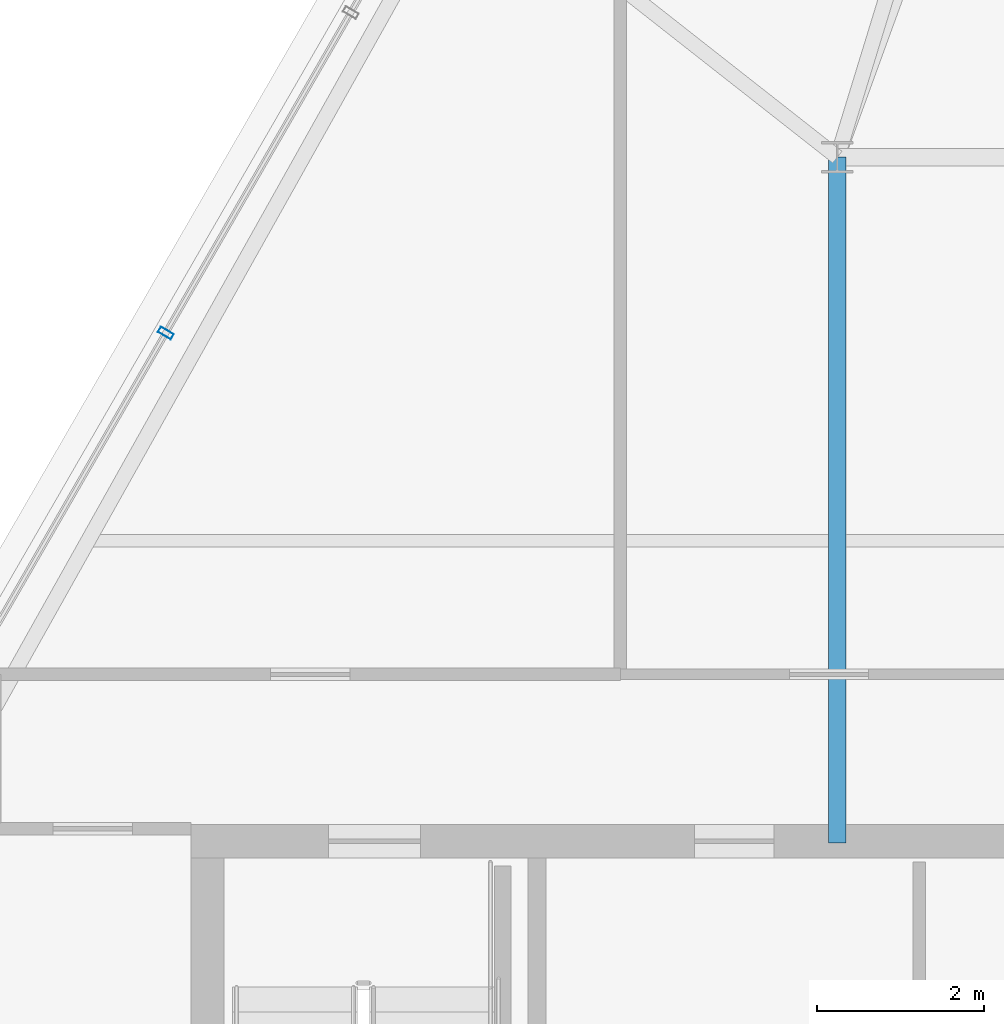
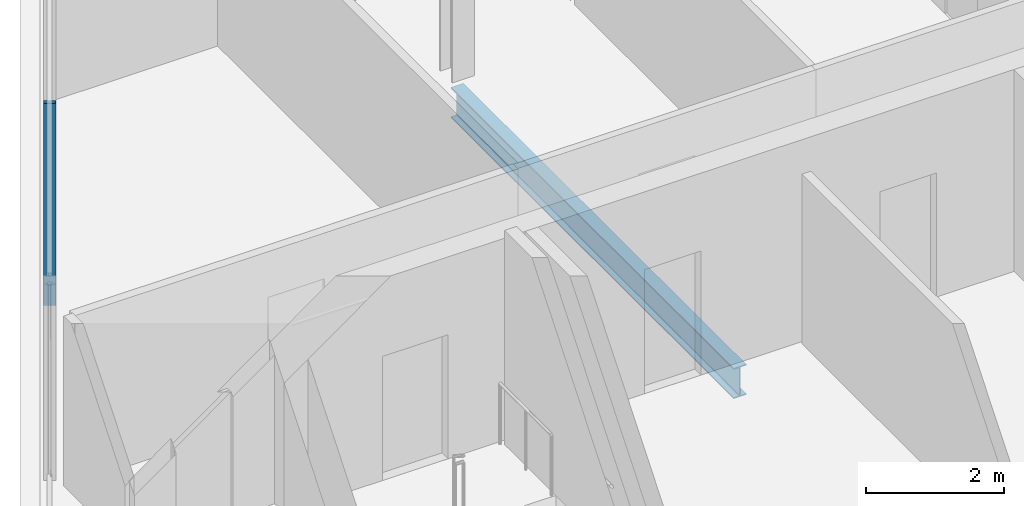
# One storey, part 8 of 35: 1 beam, 1 member, 1 element without a shape of its own.
"""IFC4 building model written with IfcOpenShell, lengths in metres."""

import ifcopenshell
import ifcopenshell.guid

model = None  # the IFC model being written
_history = None  # IfcOwnerHistory: only IFC2X3 demands one
_inside = {}  # id of a spatial element -> (the spatial element, [elements in it])
_under = {}  # id of a project, library or spatial element -> (it, [spatial elements below it])
_declared = {}  # id of a project -> (the project, [libraries it declares])
_typed = {}  # id of a type object -> (the type object, [elements of that type])
_made_of = {}  # id of a material, layer set ... -> (it, [elements and type objects made of it])


def new_model(schema):
    """Start an empty IFC model of exactly this schema.

    Asked for "IFC4X3", IfcOpenShell would pick the latest addendum, in which some entities
    have other attributes; the version numbers below select the first issue.
    IFC2X3 requires an IfcOwnerHistory on every rooted entity: one is made here for all.
    """
    global model, _history
    if schema == "IFC4X3":
        model = ifcopenshell.file(schema_version=(4, 3, 0, 0))
    else:
        model = ifcopenshell.file(schema=schema)
    _inside.clear()
    _under.clear()
    _declared.clear()
    _typed.clear()
    _made_of.clear()
    _history = None
    if model.schema == "IFC2X3":
        org = make("IfcOrganization", Name="unknown")
        user = make(
            "IfcPersonAndOrganization",
            ThePerson=make("IfcPerson", FamilyName="unknown"),
            TheOrganization=org,
        )
        app = make(
            "IfcApplication",
            ApplicationDeveloper=org,
            Version="unknown",
            ApplicationFullName="unknown",
            ApplicationIdentifier="unknown",
        )
        _history = make(
            "IfcOwnerHistory",
            OwningUser=user,
            OwningApplication=app,
            ChangeAction="ADDED",
            CreationDate=0,
        )
    return model


def make(cls, **values):
    """One entity of the class cls with the attributes given. An attribute that is None is left unset."""
    return model.create_entity(
        cls, **{name: value for name, value in values.items() if value is not None}
    )


def rooted(cls, **values):
    """An entity with a GlobalId (a new one), such as an element, a storey or a relation."""
    return make(cls, GlobalId=ifcopenshell.guid.new(), OwnerHistory=_history, **values)


def si_unit(unit_type, name, prefix=None):
    """IfcSIUnit, for example si_unit("LENGTHUNIT", "METRE", prefix="MILLI")."""
    return make("IfcSIUnit", UnitType=unit_type, Prefix=prefix, Name=name)


def assignment(units):
    """IfcUnitAssignment: the units of a project."""
    return None if units is None else make("IfcUnitAssignment", Units=units)


def point(xyz):
    """IfcCartesianPoint."""
    return None if xyz is None else make("IfcCartesianPoint", Coordinates=xyz)


def direction(xyz):
    """IfcDirection."""
    return None if xyz is None else make("IfcDirection", DirectionRatios=xyz)


def frame(location, z_axis=None, x_axis=None):
    """IfcAxis2Placement3D, a coordinate frame: its origin and axes. An axis left out is left unset."""
    return make(
        "IfcAxis2Placement3D",
        Location=point(location),
        Axis=direction(z_axis),
        RefDirection=direction(x_axis),
    )


def frame_2d(location, x_axis=None):
    """IfcAxis2Placement2D, a coordinate frame in the plane: its origin and x axis."""
    return make(
        "IfcAxis2Placement2D", Location=point(location), RefDirection=direction(x_axis)
    )


def origin():
    """The frame at (0, 0, 0) with its axes left unset."""
    return frame((0.0, 0.0, 0.0))


def origin_2d():
    """The frame at (0, 0) in the plane with its x axis left unset."""
    return frame_2d((0.0, 0.0))


def place(relative_to, where):
    """IfcLocalPlacement: puts the frame where relative to a parent placement (None: the world)."""
    return make(
        "IfcLocalPlacement", PlacementRelTo=relative_to, RelativePlacement=where
    )


def context(
    kind, dimensions, precision=None, world=None, true_north=None, identifier=None
):
    """IfcGeometricRepresentationContext, for example the 3D "Model" context."""
    return make(
        "IfcGeometricRepresentationContext",
        ContextIdentifier=identifier,
        ContextType=kind,
        CoordinateSpaceDimension=dimensions,
        Precision=precision,
        WorldCoordinateSystem=world,
        TrueNorth=true_north,
    )


def subcontext(parent, identifier, kind, view, scale=None):
    """IfcGeometricRepresentationSubContext, for example "Body" below "Model"."""
    return make(
        "IfcGeometricRepresentationSubContext",
        ContextIdentifier=identifier,
        ContextType=kind,
        ParentContext=parent,
        TargetScale=scale,
        TargetView=view,
    )


def project(units=None, contexts=None):
    """IfcProject with its units and contexts."""
    return rooted(
        "IfcProject",
        Name="project",
        RepresentationContexts=contexts,
        UnitsInContext=assignment(units),
    )


def spatial(cls, under=None, at=None, **own):
    """A site, building, storey or space (cls), placed at a placement, below another one or the project."""
    s = rooted(cls, ObjectPlacement=at, **own)
    if under is not None:
        _under.setdefault(under.id(), (under, []))[1].append(s)
    return s


def profile(cls, at=None, kind="AREA", **sizes):
    """A parametric profile (cls). Its sizes go by their IFC names, for example OverallWidth=200.0."""
    return make(cls, ProfileType=kind, Position=at, **sizes)


def hollow_rectangle(**sizes):
    """IfcRectangleHollowProfileDef."""
    return profile("IfcRectangleHollowProfileDef", **sizes)


def i_section(**sizes):
    """IfcIShapeProfileDef."""
    return profile("IfcIShapeProfileDef", **sizes)


def extrude(swept, where, along, depth):
    """IfcExtrudedAreaSolid: the profile swept, set in the frame where, extruded along a direction by depth."""
    return make(
        "IfcExtrudedAreaSolid",
        SweptArea=swept,
        Position=where,
        ExtrudedDirection=direction(along),
        Depth=depth,
    )


def shape(context_of_items, identifier, shape_type, items):
    """IfcShapeRepresentation: the items that make up one representation, for example the "Body"."""
    return make(
        "IfcShapeRepresentation",
        ContextOfItems=context_of_items,
        RepresentationIdentifier=identifier,
        RepresentationType=shape_type,
        Items=items,
    )


def material(Name=None, Category=None):
    """IfcMaterial."""
    return make("IfcMaterial", Name=Name, Category=Category)


def layer(
    of_material, thickness, ventilated=None, Name=None, Category=None, Priority=None
):
    """IfcMaterialLayer: one layer of a wall or slab, of a material (None: an air gap)."""
    return make(
        "IfcMaterialLayer",
        Material=of_material,
        LayerThickness=thickness,
        IsVentilated=ventilated,
        Name=Name,
        Category=Category,
        Priority=Priority,
    )


def layer_set(layers, Name=None):
    """IfcMaterialLayerSet."""
    return make("IfcMaterialLayerSet", MaterialLayers=layers, LayerSetName=Name)


def material_profile(
    of_material, cross_section, Name=None, Category=None, Priority=None
):
    """IfcMaterialProfile: a cross section and its material."""
    return make(
        "IfcMaterialProfile",
        Name=Name,
        Material=of_material,
        Profile=cross_section,
        Priority=Priority,
        Category=Category,
    )


def profile_set(profiles, Name=None, composite=None):
    """IfcMaterialProfileSet."""
    return make(
        "IfcMaterialProfileSet",
        Name=Name,
        MaterialProfiles=profiles,
        CompositeProfile=composite,
    )


def made_of(thing, what):
    """Note that an element or type object is made of a material, layer set ...; save() writes the relation."""
    if what is not None:
        _made_of.setdefault(what.id(), (what, []))[1].append(thing)
    return thing


def type_object(cls, material=None, **own):
    """A type object (cls), such as IfcWallType, which elements share."""
    return made_of(rooted(cls, **own), material)


def element(
    cls,
    number,
    at=None,
    inside=None,
    cuts=None,
    type_object=None,
    material=None,
    context=None,
    identifier="Body",
    shape_type=None,
    held_by="IfcProductDefinitionShape",
    body=None,
    shapes=None,
    **own,
):
    """One element of the class cls, such as IfcWall. Its Tag is "e" and its number.

    at: its placement. inside: the storey or other place that contains it. cuts: it is an
    opening in that element (IfcRelVoidsElement). A single representation is given by context,
    identifier, shape_type and body (its items); several are given by shapes. held_by: the class
    of the entity that holds the representations. save() writes the other relations.
    """
    e = rooted(cls, Tag="e%d" % number, ObjectPlacement=at, **own)
    if body is not None:
        shapes = [shape(context, identifier, shape_type, body)]
    if shapes is not None:
        e.Representation = make(held_by, Representations=shapes)
    if inside is not None:
        _inside.setdefault(inside.id(), (inside, []))[1].append(e)
    if cuts is not None:
        rooted(
            "IfcRelVoidsElement", RelatingBuildingElement=cuts, RelatedOpeningElement=e
        )
    if type_object is not None:
        _typed.setdefault(type_object.id(), (type_object, []))[1].append(e)
    return made_of(e, material)


def aggregate(whole, parts):
    """IfcRelAggregates: a whole, such as a stair, and the parts it consists of."""
    return rooted("IfcRelAggregates", RelatingObject=whole, RelatedObjects=parts)


def save(model, path):
    """Write the relations noted so far, then the file.

    IfcRelAggregates (storeys below a building ...), IfcRelContainedInSpatialStructure (elements
    in a storey), IfcRelDefinesByType, IfcRelAssociatesMaterial and IfcRelDeclares: one each for
    every whole, place, type object, material and project.
    """
    for whole, parts in _under.values():
        aggregate(whole, parts)
    for where, things in _inside.values():
        rooted(
            "IfcRelContainedInSpatialStructure",
            RelatedElements=things,
            RelatingStructure=where,
        )
    for kind, things in _typed.values():
        rooted("IfcRelDefinesByType", RelatedObjects=things, RelatingType=kind)
    for what, things in _made_of.values():
        rooted("IfcRelAssociatesMaterial", RelatedObjects=things, RelatingMaterial=what)
    for by, libraries in _declared.values():
        rooted("IfcRelDeclares", RelatingContext=by, RelatedDefinitions=libraries)
    model.write(path)


model = new_model("IFC4")

# Units and contexts
model_context = context("Model", 3, precision=1e-05, world=origin(), true_north=direction((0.0, 1.0)))
body_context = subcontext(model_context, "Body", "Model", "MODEL_VIEW")
ifc_project = project(units=[si_unit("LENGTHUNIT", "METRE"), si_unit("AREAUNIT", "SQUARE_METRE"), si_unit("VOLUMEUNIT", "CUBIC_METRE"), si_unit("PLANEANGLEUNIT", "RADIAN"), si_unit("MASSUNIT", "GRAM", prefix="KILO")], contexts=[model_context])

# Site, building, storey
site_placement = place(None, origin())
site = spatial("IfcSite", under=ifc_project, at=site_placement, CompositionType="ELEMENT")
building_placement = place(site_placement, origin())
building = spatial("IfcBuilding", under=site, at=building_placement, Name="Ndaravel Arena Tower", CompositionType="ELEMENT")
storey_placement = place(building_placement, frame((0.0, 0.0, 271.199951171875)))
storey = spatial("IfcBuildingStorey", under=building, at=storey_placement, Name="L66", CompositionType="ELEMENT", Elevation=271.199951171875)

# Beam
ifc_material_1 = material(Name="Steel S355", Category="steel")
ifc_material_profile_1 = material_profile(ifc_material_1, i_section(OverallWidth=0.210693359375, OverallDepth=0.53955078125, WebThickness=0.01171875, FlangeThickness=0.018798828125, FilletRadius=0.0126953125, at=origin_2d()), Name="UB 533x210x109")
ifc_profile_set_1 = profile_set([ifc_material_profile_1], Name="Steel S355")
beam_type = type_object("IfcBeamType", Name="BM-GIRD-UB533", PredefinedType="BEAM", material=ifc_profile_set_1)
beam_placement = place(storey_placement, frame((34.199951171875, 14.97998046875, -0.48974609375), z_axis=(0.0, 1.0, 0.0), x_axis=(-1.0, 0.0, 0.0)))
element("IfcBeam", 1, at=beam_placement, inside=storey, type_object=beam_type, Name="L66 Spine Link Girder SLG-01", PredefinedType="BEAM", context=body_context, shape_type="SweptSolid", body=[
    extrude(i_section(OverallWidth=0.210693359375, OverallDepth=0.53955078125, WebThickness=0.01171875, FlangeThickness=0.018798828125, FilletRadius=0.0126953125, at=origin_2d()), origin(), (0.0, 0.0, 1.0), 8.219970703125),
])

# Curtain wall, member
ifc_material_2 = material(Name="Aluminium", Category="aluminium")
ifc_layer = layer(ifc_material_2, 0.179931640625)
ifc_layer_set = layer_set([ifc_layer], Name="Aluminium")
curtain_wall_type = type_object("IfcCurtainWallType", Name="CW-SYS-03", PredefinedType="NOTDEFINED", material=ifc_layer_set)
curtain_wall_placement = place(storey_placement, origin())
curtain_wall = element("IfcCurtainWall", 2, at=curtain_wall_placement, inside=storey, type_object=curtain_wall_type, Name="L66 Faceted Crystal Curtain Wall CW-L66-E05", PredefinedType="NOTDEFINED")
ifc_material_3 = material(Name="Aluminium", Category="aluminium")
ifc_material_profile_2 = material_profile(ifc_material_3, hollow_rectangle(XDim=0.074951171875, YDim=0.179931640625, WallThickness=0.00390625, at=origin_2d()), Name="CW MULLION 75x180x4")
ifc_profile_set_2 = profile_set([ifc_material_profile_2], Name="Aluminium")
member_type = type_object("IfcMemberType", Name="MEM-CW-MUL180", PredefinedType="MULLION", material=ifc_profile_set_2)
member_placement = place(storey_placement, frame((26.149169921875, 21.091064453125, 0.0), z_axis=(0.0, 0.0, 1.0), x_axis=(-0.5, -0.866025403784, 0.0)))
member = element("IfcMember", 3, at=member_placement, type_object=member_type, Name="CW-L66-E05 Mullion 06", PredefinedType="MULLION", context=body_context, shape_type="SweptSolid", body=[
    extrude(hollow_rectangle(XDim=0.074951171875, YDim=0.179931640625, WallThickness=0.00390625, at=origin_2d()), origin(), (0.0, 0.0, 1.0), 3.580078125),
])
aggregate(curtain_wall, [member])

save(model, "model.ifc")
